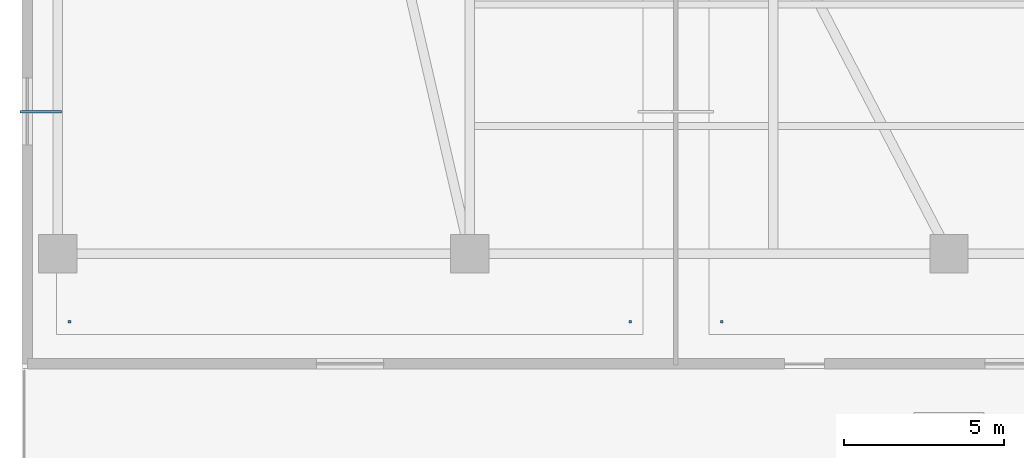
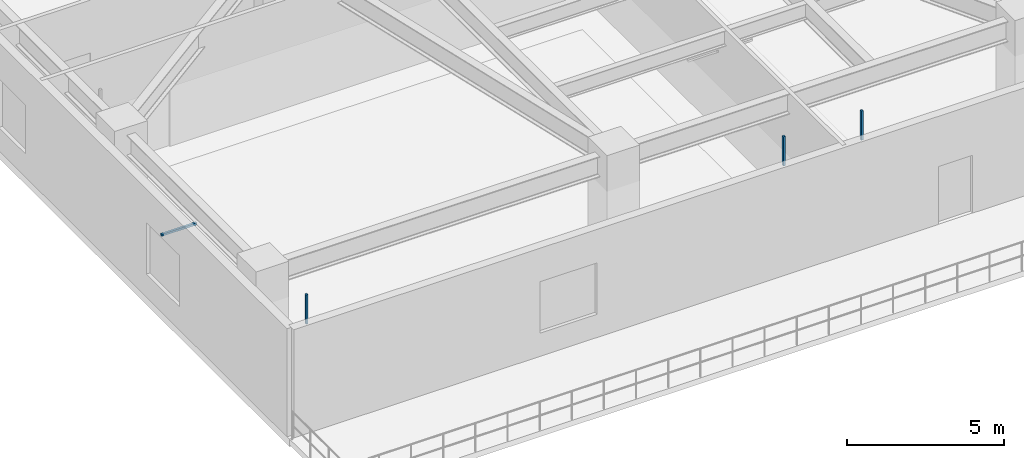
# One storey, part 13 of 22: 4 discrete accessories.
"""IFC4 building model written with IfcOpenShell, lengths in metres."""

from ifc_helpers import new_model, si_unit, direction, frame, origin, origin_2d, place, context, subcontext, project, spatial, rectangle, extrude, material, type_object, element, save


model = new_model("IFC4")

# Units and contexts
model_context = context("Model", 3, precision=1e-05, world=origin(), true_north=direction((0.0, 1.0)))
body_context = subcontext(model_context, "Body", "Model", "MODEL_VIEW")
ifc_project = project(units=[si_unit("LENGTHUNIT", "METRE"), si_unit("AREAUNIT", "SQUARE_METRE"), si_unit("VOLUMEUNIT", "CUBIC_METRE"), si_unit("PLANEANGLEUNIT", "RADIAN"), si_unit("MASSUNIT", "GRAM", prefix="KILO")], contexts=[model_context])

# Site, building, storey
site_placement = place(None, origin())
site = spatial("IfcSite", under=ifc_project, at=site_placement, CompositionType="ELEMENT")
building_placement = place(site_placement, origin())
building = spatial("IfcBuilding", under=site, at=building_placement, Name="Tarnavaz Court Tower", CompositionType="ELEMENT")
storey_placement = place(building_placement, frame((0.0, 0.0, 14.39990234375)))
storey = spatial("IfcBuildingStorey", under=building, at=storey_placement, Name="L03", CompositionType="ELEMENT", Elevation=14.39990234375)

# Discrete accessories
ifc_material = material(Name="Anodised Aluminium 6063-T6", Category="aluminium")
discrete_accessory_type = type_object("IfcDiscreteAccessoryType", Name="DA-BRKT-ALU", PredefinedType="BRACKET", material=ifc_material)
for number, where, z_axis, x_axis, name in (
    (1, (-27.530029296875, -24.929931640625, 3.09033203125), (0.0, 0.0, 1.0), (1.0, 0.0, 0.0), "L03 Ceiling Suspension Hanger Bracket 03-1"),
    (2, (-9.97998046875, -24.929931640625, 3.09033203125), (0.0, 0.0, 1.0), (1.0, 0.0, 0.0), "L03 Ceiling Suspension Hanger Bracket 03-2"),
):
    element("IfcDiscreteAccessory", number, at=place(storey_placement, frame(where, z_axis=z_axis, x_axis=x_axis)), inside=storey, type_object=discrete_accessory_type, Name=name, PredefinedType="BRACKET", context=body_context, shape_type="SweptSolid", body=[
        extrude(rectangle(XDim=0.080078125, YDim=0.080078125, at=origin_2d()), origin(), (0.0, 0.0, 1.0), 1.139892578125),
    ])
discrete_accessory_1_placement = place(storey_placement, frame((-28.429931640625, -18.364990234375, 3.052490234375), z_axis=(0.0, 0.0, 1.0), x_axis=(1.0, 0.0, 0.0)))
element("IfcDiscreteAccessory", 3, at=discrete_accessory_1_placement, inside=storey, type_object=discrete_accessory_type, Name="L03 Ceiling Perimeter Wall-Tie Bracket 03-1", PredefinedType="BRACKET", context=body_context, shape_type="SweptSolid", body=[
    extrude(rectangle(XDim=1.300048828125, YDim=0.080078125, at=origin_2d()), origin(), (0.0, 0.0, 1.0), 0.080078125),
])
discrete_accessory_2_placement = place(storey_placement, frame((-7.1201171875, -24.929931640625, 3.09033203125), z_axis=(0.0, 0.0, 1.0), x_axis=(1.0, 0.0, 0.0)))
element("IfcDiscreteAccessory", 4, at=discrete_accessory_2_placement, inside=storey, type_object=discrete_accessory_type, Name="L03 Ceiling Suspension Hanger Bracket 04-1", PredefinedType="BRACKET", context=body_context, shape_type="SweptSolid", body=[
    extrude(rectangle(XDim=0.080078125, YDim=0.080078125, at=origin_2d()), origin(), (0.0, 0.0, 1.0), 1.139892578125),
])

save(model, "model.ifc")
